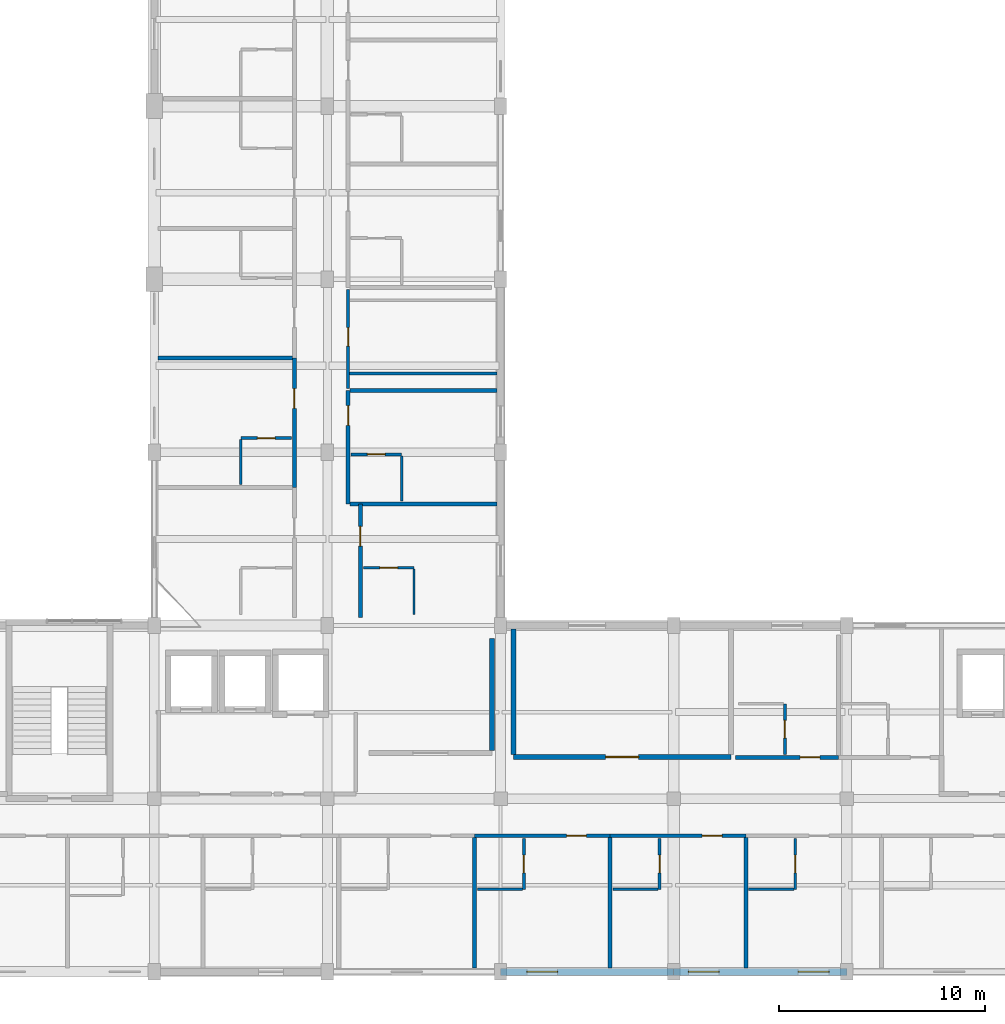
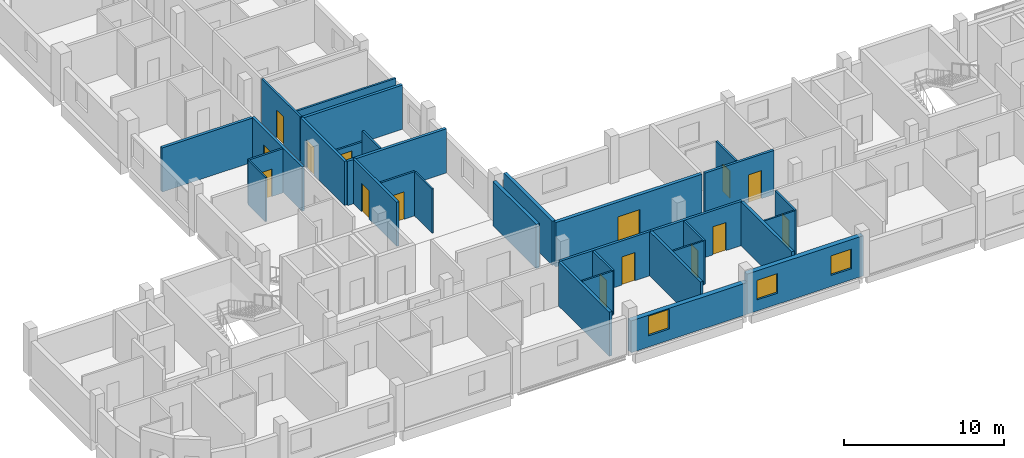
# One storey, part 14 of 26: 32 walls, 15 doors, 3 windows, 18 openings.
"""IFC4 building model written with IfcOpenShell, lengths in metres."""

from ifc_helpers import new_model, si_unit, derived_unit, direction, frame, frame_2d, origin, place, context, subcontext, project, spatial, rectangle, extrude, material, layer, layer_set, type_object, element, fill, save


model = new_model("IFC4")

# Units and contexts
model_context = context("Model", 3, precision=1e-05, world=origin(), true_north=direction((0.0, 1.0)))
body_context = subcontext(model_context, "Body", "Model", "MODEL_VIEW")
ifc_project = project(units=[si_unit("LENGTHUNIT", "METRE"), si_unit("AREAUNIT", "SQUARE_METRE"), si_unit("VOLUMEUNIT", "CUBIC_METRE"), si_unit("PLANEANGLEUNIT", "RADIAN"), si_unit("MASSUNIT", "GRAM", prefix="KILO"), derived_unit("THERMALTRANSMITTANCEUNIT", [(si_unit("POWERUNIT", "WATT"), 1), (si_unit("LENGTHUNIT", "METRE"), -2), (si_unit("THERMODYNAMICTEMPERATUREUNIT", "KELVIN"), -1)])], contexts=[model_context])

# Site, building, storey
site_placement = place(None, origin())
site = spatial("IfcSite", under=ifc_project, at=site_placement, CompositionType="ELEMENT")
building_placement = place(site_placement, origin())
building = spatial("IfcBuilding", under=site, at=building_placement, Name="Barrovel Congress Hotel", CompositionType="ELEMENT")
storey_placement = place(building_placement, frame((0.0, 0.0, 21.89990234375)))
storey = spatial("IfcBuildingStorey", under=building, at=storey_placement, Name="L05", CompositionType="ELEMENT", Elevation=21.89990234375)

# Wall, opening, window
ifc_material_1 = material(Name="Fired Clay Brick Masonry", Category="masonry")
ifc_layer_1 = layer(ifc_material_1, 0.340087890625)
ifc_layer_set_1 = layer_set([ifc_layer_1], Name="Fired Clay Brick Masonry")
wall_type_1 = type_object("IfcWallType", Name="EW-BRK340", PredefinedType="STANDARD", material=ifc_layer_set_1)
wall_1_placement = place(storey_placement, frame((50.39990234375, 4.199951171875, 0.0), z_axis=(0.0, 0.0, 1.0), x_axis=(1.0, 0.0, 0.0)))
wall_1 = element("IfcWall", 1, at=wall_1_placement, inside=storey, type_object=wall_type_1, Name="EW:L05:HS-S:P04", PredefinedType="STANDARD", context=body_context, shape_type="SweptSolid", body=[
    extrude(rectangle(XDim=8.400146484375, YDim=0.340087890625, at=frame_2d((4.2001953125, 0.0))), origin(), (0.0, 0.0, 1.0), 2.43017578125),
])
opening_1_placement = place(wall_1_placement, frame((1.27490234375, 0.0, 0.85009765625)))
opening_1 = element("IfcOpeningElement", 2, at=opening_1_placement, cuts=wall_1, Name="Opening WN-07", PredefinedType="OPENING", context=body_context, shape_type="SweptSolid", body=[
    extrude(rectangle(XDim=1.5, YDim=1.5, at=frame_2d((0.75, 0.75))), frame((0.0, 0.18017578125, 0.0), z_axis=(0.0, -1.0, 0.0), x_axis=(1.0, 0.0, 0.0)), (0.0, 0.0, 1.0), 0.360107421875),
])
ifc_material_2 = material(Name="Double Low-E Insulated Glazing", Category="glass")
window_type = type_object("IfcWindowType", Name="WIN-WN-07", PartitioningType="SINGLE_PANEL", PredefinedType="WINDOW", material=ifc_material_2)
window_1_placement = place(opening_1_placement, origin())
window_1 = element("IfcWindow", 3, at=window_1_placement, inside=storey, type_object=window_type, Name="WIN:L05:U06", OverallHeight=1.5, OverallWidth=1.5, PartitioningType="SINGLE_PANEL", PredefinedType="WINDOW", context=body_context, shape_type="SweptSolid", body=[
    extrude(rectangle(XDim=1.5, YDim=1.5, at=frame_2d((0.75, 0.75))), frame((0.0, 0.030029296875, 0.0), z_axis=(0.0, -1.0, 0.0), x_axis=(1.0, 0.0, 0.0)), (0.0, 0.0, 1.0), 0.06005859375),
])
fill(opening_1, window_1)

# Wall, openings, windows
wall_2_placement = place(storey_placement, frame((58.800048828125, 4.199951171875, 0.0), z_axis=(0.0, 0.0, 1.0), x_axis=(1.0, 0.0, 0.0)))
wall_2 = element("IfcWall", 4, at=wall_2_placement, inside=storey, type_object=wall_type_1, Name="EW:L05:HS-S:P05", PredefinedType="STANDARD", context=body_context, shape_type="SweptSolid", body=[
    extrude(rectangle(XDim=8.39990234375, YDim=0.340087890625, at=frame_2d((4.199951171875, 0.0))), origin(), (0.0, 0.0, 1.0), 3.070068359375),
])
opening_2_placement = place(wall_2_placement, frame((0.708251953125, 0.0, 0.85009765625)))
opening_2 = element("IfcOpeningElement", 5, at=opening_2_placement, cuts=wall_2, Name="Opening WN-07", PredefinedType="OPENING", context=body_context, shape_type="SweptSolid", body=[
    extrude(rectangle(XDim=1.5, YDim=1.5, at=frame_2d((0.75, 0.75))), frame((0.0, 0.18017578125, 0.0), z_axis=(0.0, -1.0, 0.0), x_axis=(1.0, 0.0, 0.0)), (0.0, 0.0, 1.0), 0.360107421875),
])
opening_3_placement = place(wall_2_placement, frame((6.041748046875, 0.0, 0.85009765625)))
opening_3 = element("IfcOpeningElement", 6, at=opening_3_placement, cuts=wall_2, Name="Opening WN-07", PredefinedType="OPENING", context=body_context, shape_type="SweptSolid", body=[
    extrude(rectangle(XDim=1.5, YDim=1.5, at=frame_2d((0.75, 0.75))), frame((0.0, 0.18017578125, 0.0), z_axis=(0.0, -1.0, 0.0), x_axis=(1.0, 0.0, 0.0)), (0.0, 0.0, 1.0), 0.360107421875),
])
window_2_placement = place(opening_2_placement, origin())
window_2 = element("IfcWindow", 7, at=window_2_placement, inside=storey, type_object=window_type, Name="WIN:L05:U07", OverallHeight=1.5, OverallWidth=1.5, PartitioningType="SINGLE_PANEL", PredefinedType="WINDOW", context=body_context, shape_type="SweptSolid", body=[
    extrude(rectangle(XDim=1.5, YDim=1.5, at=frame_2d((0.75, 0.75))), frame((0.0, 0.030029296875, 0.0), z_axis=(0.0, -1.0, 0.0), x_axis=(1.0, 0.0, 0.0)), (0.0, 0.0, 1.0), 0.06005859375),
])
fill(opening_2, window_2)
window_3_placement = place(opening_3_placement, origin())
window_3 = element("IfcWindow", 8, at=window_3_placement, inside=storey, type_object=window_type, Name="WIN:L05:U08", OverallHeight=1.5, OverallWidth=1.5, PartitioningType="SINGLE_PANEL", PredefinedType="WINDOW", context=body_context, shape_type="SweptSolid", body=[
    extrude(rectangle(XDim=1.5, YDim=1.5, at=frame_2d((0.75, 0.75))), frame((0.0, 0.030029296875, 0.0), z_axis=(0.0, -1.0, 0.0), x_axis=(1.0, 0.0, 0.0)), (0.0, 0.0, 1.0), 0.06005859375),
])
fill(opening_3, window_3)

# Wall, opening, door
ifc_material_3 = material(Name="Gypsum Acoustic Stud", Category="gypsum")
ifc_layer_2 = layer(ifc_material_3, 0.179931640625)
ifc_layer_set_2 = layer_set([ifc_layer_2], Name="Gypsum Acoustic Stud")
wall_type_2 = type_object("IfcWallType", Name="PW-ACU-180", PredefinedType="PARTITIONING", material=ifc_layer_set_2)
wall_3_placement = place(storey_placement, frame((49.13330078125, 10.800048828125, 0.0), z_axis=(0.0, 0.0, 1.0), x_axis=(1.0, 0.0, 0.0)))
wall_3 = element("IfcWall", 9, at=wall_3_placement, inside=storey, type_object=wall_type_2, Name="PW:L05:U06:COR", PredefinedType="PARTITIONING", context=body_context, shape_type="SweptSolid", body=[
    extrude(rectangle(XDim=6.58349609375, YDim=0.179931640625, at=frame_2d((3.291748046875, 0.0))), origin(), (0.0, 0.0, 1.0), 3.375),
])
opening_4_placement = place(wall_3_placement, frame((4.46875, 0.0, 0.0)))
opening_4 = element("IfcOpeningElement", 10, at=opening_4_placement, cuts=wall_3, Name="Opening ID-HTL", PredefinedType="OPENING", context=body_context, shape_type="SweptSolid", body=[
    extrude(rectangle(XDim=0.9599609375, YDim=2.14990234375, at=frame_2d((0.47998046875, 1.074951171875))), frame((0.0, 0.10009765625, 0.0), z_axis=(0.0, -1.0, 0.0), x_axis=(1.0, 0.0, 0.0)), (0.0, 0.0, 1.0), 0.199951171875),
])
ifc_material_4 = material(Name="Solid Oak Acoustic Timber Door", Category="wood")
door_type_1 = type_object("IfcDoorType", Name="IDR-ID-HTL", OperationType="NOTDEFINED", PredefinedType="DOOR", material=ifc_material_4)
door_1_placement = place(opening_4_placement, origin())
door_1 = element("IfcDoor", 11, at=door_1_placement, inside=storey, type_object=door_type_1, Name="DR:L05:U06:ENT", OperationType="SINGLE_SWING_RIGHT", OverallHeight=2.14990234375, OverallWidth=0.9599609375, PredefinedType="DOOR", context=body_context, shape_type="SweptSolid", body=[
    extrude(rectangle(XDim=0.9599609375, YDim=2.14990234375, at=frame_2d((0.47998046875, 1.074951171875))), frame((0.0, 0.02490234375, 0.0), z_axis=(0.0, -1.0, 0.0), x_axis=(1.0, 0.0, 0.0)), (0.0, 0.0, 1.0), 0.050048828125),
])
fill(opening_4, door_1)

wall_4_placement = place(storey_placement, frame((55.716796875, 10.800048828125, 0.0), z_axis=(0.0, 0.0, 1.0), x_axis=(1.0, 0.0, 0.0)))
wall_4 = element("IfcWall", 12, at=wall_4_placement, inside=storey, type_object=wall_type_2, Name="PW:L05:U07:COR", PredefinedType="PARTITIONING", context=body_context, shape_type="SweptSolid", body=[
    extrude(rectangle(XDim=6.583251953125, YDim=0.179931640625, at=frame_2d((3.29150390625, 0.0))), origin(), (0.0, 0.0, 1.0), 3.375),
])
opening_5_placement = place(wall_4_placement, frame((4.468505859375, 0.0, 0.0)))
opening_5 = element("IfcOpeningElement", 13, at=opening_5_placement, cuts=wall_4, Name="Opening ID-HTL", PredefinedType="OPENING", context=body_context, shape_type="SweptSolid", body=[
    extrude(rectangle(XDim=0.9599609375, YDim=2.14990234375, at=frame_2d((0.47998046875, 1.074951171875))), frame((0.0, 0.10009765625, 0.0), z_axis=(0.0, -1.0, 0.0), x_axis=(1.0, 0.0, 0.0)), (0.0, 0.0, 1.0), 0.199951171875),
])
door_2_placement = place(opening_5_placement, origin())
door_2 = element("IfcDoor", 14, at=door_2_placement, inside=storey, type_object=door_type_1, Name="DR:L05:U07:ENT", OperationType="SINGLE_SWING_RIGHT", OverallHeight=2.14990234375, OverallWidth=0.9599609375, PredefinedType="DOOR", context=body_context, shape_type="SweptSolid", body=[
    extrude(rectangle(XDim=0.9599609375, YDim=2.14990234375, at=frame_2d((0.47998046875, 1.074951171875))), frame((0.0, 0.02490234375, 0.0), z_axis=(0.0, -1.0, 0.0), x_axis=(1.0, 0.0, 0.0)), (0.0, 0.0, 1.0), 0.050048828125),
])
fill(opening_5, door_2)

wall_5_placement = place(storey_placement, frame((61.800048828125, 14.60009765625, 0.0), z_axis=(0.0, 0.0, 1.0), x_axis=(1.0, 0.0, 0.0)))
wall_5 = element("IfcWall", 15, at=wall_5_placement, inside=storey, type_object=wall_type_2, Name="PW:L05:U22:COR", PredefinedType="PARTITIONING", context=body_context, shape_type="SweptSolid", body=[
    extrude(rectangle(XDim=5.0, YDim=0.179931640625, at=frame_2d((2.5, 0.0))), origin(), (0.0, 0.0, 1.0), 3.375),
])
opening_6_placement = place(wall_5_placement, frame((3.136962890625, 0.0, 0.0)))
opening_6 = element("IfcOpeningElement", 16, at=opening_6_placement, cuts=wall_5, Name="Opening ID-HTL", PredefinedType="OPENING", context=body_context, shape_type="SweptSolid", body=[
    extrude(rectangle(XDim=0.9599609375, YDim=2.14990234375, at=frame_2d((0.47998046875, 1.074951171875))), frame((0.0, 0.10009765625, 0.0), z_axis=(0.0, -1.0, 0.0), x_axis=(1.0, 0.0, 0.0)), (0.0, 0.0, 1.0), 0.199951171875),
])
door_3_placement = place(opening_6_placement, origin())
door_3 = element("IfcDoor", 17, at=door_3_placement, inside=storey, type_object=door_type_1, Name="DR:L05:U22:ENT", OperationType="SINGLE_SWING_RIGHT", OverallHeight=2.14990234375, OverallWidth=0.9599609375, PredefinedType="DOOR", context=body_context, shape_type="SweptSolid", body=[
    extrude(rectangle(XDim=0.9599609375, YDim=2.14990234375, at=frame_2d((0.47998046875, 1.074951171875))), frame((0.0, 0.02490234375, 0.0), z_axis=(0.0, -1.0, 0.0), x_axis=(1.0, 0.0, 0.0)), (0.0, 0.0, 1.0), 0.050048828125),
])
fill(opening_6, door_3)

wall_6_placement = place(storey_placement, frame((40.39990234375, 27.68896484375, 0.0), z_axis=(0.0, 0.0, 1.0), x_axis=(0.0, 1.0, 0.0)))
wall_6 = element("IfcWall", 18, at=wall_6_placement, inside=storey, type_object=wall_type_2, Name="PW:L05:U34:COR", PredefinedType="PARTITIONING", context=body_context, shape_type="SweptSolid", body=[
    extrude(rectangle(XDim=6.288818359375, YDim=0.179931640625, at=frame_2d((3.14453125, 0.0))), origin(), (0.0, 0.0, 1.0), 3.375),
])
opening_7_placement = place(wall_6_placement, frame((3.849365234375, 0.0, 0.0)))
opening_7 = element("IfcOpeningElement", 19, at=opening_7_placement, cuts=wall_6, Name="Opening ID-HTL", PredefinedType="OPENING", context=body_context, shape_type="SweptSolid", body=[
    extrude(rectangle(XDim=0.9599609375, YDim=2.14990234375, at=frame_2d((0.47998046875, 1.074951171875))), frame((0.0, 0.10009765625, 0.0), z_axis=(0.0, -1.0, 0.0), x_axis=(1.0, 0.0, 0.0)), (0.0, 0.0, 1.0), 0.199951171875),
])
door_4_placement = place(opening_7_placement, origin())
door_4 = element("IfcDoor", 20, at=door_4_placement, inside=storey, type_object=door_type_1, Name="DR:L05:U34:ENT", OperationType="SINGLE_SWING_RIGHT", OverallHeight=2.14990234375, OverallWidth=0.9599609375, PredefinedType="DOOR", context=body_context, shape_type="SweptSolid", body=[
    extrude(rectangle(XDim=0.9599609375, YDim=2.14990234375, at=frame_2d((0.47998046875, 1.074951171875))), frame((0.0, 0.02490234375, 0.0), z_axis=(0.0, -1.0, 0.0), x_axis=(1.0, 0.0, 0.0)), (0.0, 0.0, 1.0), 0.050048828125),
])
fill(opening_7, door_4)

wall_7_placement = place(storey_placement, frame((43.60009765625, 21.39990234375, 0.0), z_axis=(0.0, 0.0, 1.0), x_axis=(0.0, 1.0, 0.0)))
wall_7 = element("IfcWall", 21, at=wall_7_placement, inside=storey, type_object=wall_type_2, Name="PW:L05:U42:COR", PredefinedType="PARTITIONING", context=body_context, shape_type="SweptSolid", body=[
    extrude(rectangle(XDim=5.5, YDim=0.179931640625, at=frame_2d((2.75, 0.0))), origin(), (0.0, 0.0, 1.0), 3.375),
])
opening_8_placement = place(wall_7_placement, frame((3.455078125, 0.0, 0.0)))
opening_8 = element("IfcOpeningElement", 22, at=opening_8_placement, cuts=wall_7, Name="Opening ID-HTL", PredefinedType="OPENING", context=body_context, shape_type="SweptSolid", body=[
    extrude(rectangle(XDim=0.9599609375, YDim=2.14990234375, at=frame_2d((0.47998046875, 1.074951171875))), frame((0.0, 0.10009765625, 0.0), z_axis=(0.0, -1.0, 0.0), x_axis=(1.0, 0.0, 0.0)), (0.0, 0.0, 1.0), 0.199951171875),
])
door_5_placement = place(opening_8_placement, origin())
door_5 = element("IfcDoor", 23, at=door_5_placement, inside=storey, type_object=door_type_1, Name="DR:L05:U42:ENT", OperationType="SINGLE_SWING_RIGHT", OverallHeight=2.14990234375, OverallWidth=0.9599609375, PredefinedType="DOOR", context=body_context, shape_type="SweptSolid", body=[
    extrude(rectangle(XDim=0.9599609375, YDim=2.14990234375, at=frame_2d((0.47998046875, 1.074951171875))), frame((0.0, 0.02490234375, 0.0), z_axis=(0.0, -1.0, 0.0), x_axis=(1.0, 0.0, 0.0)), (0.0, 0.0, 1.0), 0.050048828125),
])
fill(opening_8, door_5)

wall_8_placement = place(storey_placement, frame((43.0, 26.89990234375, 0.0), z_axis=(0.0, 0.0, 1.0), x_axis=(0.0, 1.0, 0.0)))
wall_8 = element("IfcWall", 24, at=wall_8_placement, inside=storey, type_object=wall_type_2, Name="PW:L05:U43:COR", PredefinedType="PARTITIONING", context=body_context, shape_type="SweptSolid", body=[
    extrude(rectangle(XDim=5.5, YDim=0.179931640625, at=frame_2d((2.75, 0.0))), origin(), (0.0, 0.0, 1.0), 3.375),
])
opening_9_placement = place(wall_8_placement, frame((3.804931640625, 0.0, 0.0)))
opening_9 = element("IfcOpeningElement", 25, at=opening_9_placement, cuts=wall_8, Name="Opening ID-HTL", PredefinedType="OPENING", context=body_context, shape_type="SweptSolid", body=[
    extrude(rectangle(XDim=0.9599609375, YDim=2.14990234375, at=frame_2d((0.47998046875, 1.074951171875))), frame((0.0, 0.10009765625, 0.0), z_axis=(0.0, -1.0, 0.0), x_axis=(1.0, 0.0, 0.0)), (0.0, 0.0, 1.0), 0.199951171875),
])
door_6_placement = place(opening_9_placement, origin())
door_6 = element("IfcDoor", 26, at=door_6_placement, inside=storey, type_object=door_type_1, Name="DR:L05:U43:ENT", OperationType="SINGLE_SWING_RIGHT", OverallHeight=2.14990234375, OverallWidth=0.9599609375, PredefinedType="DOOR", context=body_context, shape_type="SweptSolid", body=[
    extrude(rectangle(XDim=0.9599609375, YDim=2.14990234375, at=frame_2d((0.47998046875, 1.074951171875))), frame((0.0, 0.02490234375, 0.0), z_axis=(0.0, -1.0, 0.0), x_axis=(1.0, 0.0, 0.0)), (0.0, 0.0, 1.0), 0.050048828125),
])
fill(opening_9, door_6)

# Walls
ifc_layer_3 = layer(ifc_material_3, 0.1201171875)
ifc_layer_set_3 = layer_set([ifc_layer_3], Name="Gypsum Acoustic Stud")
wall_type_3 = type_object("IfcWallType", Name="PW-INT-120", PredefinedType="PARTITIONING", material=ifc_layer_set_3)
wall_9_placement = place(storey_placement, frame((49.273193359375, 8.199951171875, 0.0), z_axis=(0.0, 0.0, 1.0), x_axis=(1.0, 0.0, 0.0)))
element("IfcWall", 27, at=wall_9_placement, inside=storey, type_object=wall_type_3, Name="PW:L05:U06:B2", PredefinedType="PARTITIONING", context=body_context, shape_type="SweptSolid", body=[
    extrude(rectangle(XDim=2.190185546875, YDim=0.1201171875, at=frame_2d((1.09521484375, 0.0))), origin(), (0.0, 0.0, 1.0), 3.375),
])
for number, where, z_axis, x_axis, name in (
    (28, (55.856689453125, 8.199951171875, 0.0), (0.0, 0.0, 1.0), (1.0, 0.0, 0.0), "PW:L05:U07:B2"),
    (29, (62.43994140625, 8.199951171875, 0.0), (0.0, 0.0, 1.0), (1.0, 0.0, 0.0), "PW:L05:U08:B2"),
    (30, (37.800048828125, 27.828857421875, 0.0), (0.0, 0.0, 1.0), (0.0, 1.0, 0.0), "PW:L05:U34:B2"),
    (31, (46.199951171875, 21.5400390625, 0.0), (0.0, 0.0, 1.0), (0.0, 1.0, 0.0), "PW:L05:U42:B2"),
    (32, (45.60009765625, 27.0400390625, 0.0), (0.0, 0.0, 1.0), (0.0, 1.0, 0.0), "PW:L05:U43:B2"),
):
    element("IfcWall", number, at=place(storey_placement, frame(where, z_axis=z_axis, x_axis=x_axis)), inside=storey, type_object=wall_type_3, Name=name, PredefinedType="PARTITIONING", context=body_context, shape_type="SweptSolid", body=[
        extrude(rectangle(XDim=2.18994140625, YDim=0.1201171875, at=frame_2d((1.094970703125, 0.0))), origin(), (0.0, 0.0, 1.0), 3.375),
    ])
ifc_layer_4 = layer(ifc_material_1, 0.199951171875)
ifc_layer_set_4 = layer_set([ifc_layer_4], Name="Fired Clay Brick Masonry")
wall_type_4 = type_object("IfcWallType", Name="PW-MAS-200", PredefinedType="PARTITIONING", material=ifc_layer_set_4)
for number, where, z_axis, x_axis, name in (
    (33, (49.13330078125, 4.3701171875, 0.0), (0.0, 0.0, 1.0), (0.0, 1.0, 0.0), "PW:L05:U05:DEM"),
    (34, (55.716796875, 4.3701171875, 0.0), (0.0, 0.0, 1.0), (0.0, 1.0, 0.0), "PW:L05:U06:DEM"),
    (35, (62.300048828125, 4.3701171875, 0.0), (0.0, 0.0, 1.0), (0.0, 1.0, 0.0), "PW:L05:U07:DEM"),
):
    element("IfcWall", number, at=place(storey_placement, frame(where, z_axis=z_axis, x_axis=x_axis)), inside=storey, type_object=wall_type_4, Name=name, PredefinedType="PARTITIONING", context=body_context, shape_type="SweptSolid", body=[
        extrude(rectangle(XDim=6.33984375, YDim=0.199951171875, at=frame_2d((3.169921875, 0.0))), origin(), (0.0, 0.0, 1.0), 3.375),
    ])
wall_10_placement = place(storey_placement, frame((33.77001953125, 33.977783203125, 0.0), z_axis=(0.0, 0.0, 1.0), x_axis=(1.0, 0.0, 0.0)))
element("IfcWall", 36, at=wall_10_placement, inside=storey, type_object=wall_type_4, Name="PW:L05:U34:DEM", PredefinedType="PARTITIONING", context=body_context, shape_type="SweptSolid", body=[
    extrude(rectangle(XDim=6.5400390625, YDim=0.199951171875, at=frame_2d((3.27001953125, 0.0))), origin(), (0.0, 0.0, 1.0), 3.375),
])
for number, where, z_axis, x_axis, name in (
    (37, (43.090087890625, 26.89990234375, 0.0), (0.0, 0.0, 1.0), (1.0, 0.0, 0.0), "PW:L05:U42:DEM"),
    (38, (43.090087890625, 32.39990234375, 0.0), (0.0, 0.0, 1.0), (1.0, 0.0, 0.0), "PW:L05:U43:DEM"),
):
    element("IfcWall", number, at=place(storey_placement, frame(where, z_axis=z_axis, x_axis=x_axis)), inside=storey, type_object=wall_type_4, Name=name, PredefinedType="PARTITIONING", context=body_context, shape_type="SweptSolid", body=[
        extrude(rectangle(XDim=7.139892578125, YDim=0.199951171875, at=frame_2d((3.56982421875, 0.0))), origin(), (0.0, 0.0, 1.0), 3.375),
    ])
ifc_layer_5 = layer(ifc_material_1, 0.239990234375)
ifc_layer_set_5 = layer_set([ifc_layer_5], Name="Fired Clay Brick Masonry")
wall_type_5 = type_object("IfcWallType", Name="PW-MAS-240", PredefinedType="PARTITIONING", material=ifc_layer_set_5)
wall_11_placement = place(storey_placement, frame((49.97998046875, 14.93994140625, 0.0), z_axis=(0.0, 0.0, 1.0), x_axis=(0.0, 1.0, 0.0)))
element("IfcWall", 39, at=wall_11_placement, inside=storey, type_object=wall_type_5, Name="RW:SP:L05:LINEN:E", PredefinedType="PARTITIONING", context=body_context, shape_type="SweptSolid", body=[
    extrude(rectangle(XDim=5.43994140625, YDim=0.239990234375, at=frame_2d((2.719970703125, 0.0))), origin(), (0.0, 0.0, 1.0), 3.375),
])

# Wall, opening, door
wall_12_placement = place(storey_placement, frame((51.02001953125, 14.6201171875, 0.0), z_axis=(0.0, 0.0, 1.0), x_axis=(1.0, 0.0, 0.0)))
wall_12 = element("IfcWall", 40, at=wall_12_placement, inside=storey, type_object=wall_type_5, Name="RW:SP:L05:SALON:S", PredefinedType="PARTITIONING", context=body_context, shape_type="SweptSolid", body=[
    extrude(rectangle(XDim=10.56005859375, YDim=0.239990234375, at=frame_2d((5.280029296875, 0.0))), origin(), (0.0, 0.0, 1.0), 3.375),
])
opening_10_placement = place(wall_12_placement, frame((4.47998046875, 0.0, 0.0)))
opening_10 = element("IfcOpeningElement", 41, at=opening_10_placement, cuts=wall_12, Name="Opening ID-MTG", PredefinedType="OPENING", context=body_context, shape_type="SweptSolid", body=[
    extrude(rectangle(XDim=1.60009765625, YDim=2.25, at=frame_2d((0.800048828125, 1.125))), frame((0.0, 0.1298828125, 0.0), z_axis=(0.0, -1.0, 0.0), x_axis=(1.0, 0.0, 0.0)), (0.0, 0.0, 1.0), 0.260009765625),
])
door_type_2 = type_object("IfcDoorType", Name="IDR-ID-MTG", OperationType="NOTDEFINED", PredefinedType="DOOR", material=ifc_material_4)
door_7_placement = place(opening_10_placement, origin())
door_7 = element("IfcDoor", 42, at=door_7_placement, inside=storey, type_object=door_type_2, Name="RD:SP:L05:SALON", OperationType="DOUBLE_DOOR_SINGLE_SWING", OverallHeight=2.25, OverallWidth=1.60009765625, PredefinedType="DOOR", context=body_context, shape_type="SweptSolid", body=[
    extrude(rectangle(XDim=1.60009765625, YDim=2.25, at=frame_2d((0.800048828125, 1.125))), frame((0.0, 0.02490234375, 0.0), z_axis=(0.0, -1.0, 0.0), x_axis=(1.0, 0.0, 0.0)), (0.0, 0.0, 1.0), 0.050048828125),
])
fill(opening_10, door_7)

# Wall
wall_13_placement = place(storey_placement, frame((51.02001953125, 14.739990234375, 0.0), z_axis=(0.0, 0.0, 1.0), x_axis=(0.0, 1.0, 0.0)))
element("IfcWall", 43, at=wall_13_placement, inside=storey, type_object=wall_type_5, Name="RW:SP:L05:SALON:W", PredefinedType="PARTITIONING", context=body_context, shape_type="SweptSolid", body=[
    extrude(rectangle(XDim=6.090087890625, YDim=0.239990234375, at=frame_2d((3.044921875, 0.0))), origin(), (0.0, 0.0, 1.0), 3.375),
])

# Wall, opening, door
ifc_material_5 = material(Name="Gypsum Moisture Board", Category="gypsum")
ifc_layer_6 = layer(ifc_material_5, 0.139892578125)
ifc_layer_set_6 = layer_set([ifc_layer_6], Name="Gypsum Moisture Board")
wall_type_6 = type_object("IfcWallType", Name="PW-WET-140", PredefinedType="PARTITIONING", material=ifc_layer_set_6)
wall_14_placement = place(storey_placement, frame((51.533203125, 8.199951171875, 0.0), z_axis=(0.0, 0.0, 1.0), x_axis=(0.0, 1.0, 0.0)))
wall_14 = element("IfcWall", 44, at=wall_14_placement, inside=storey, type_object=wall_type_6, Name="PW:L05:U06:B1", PredefinedType="PARTITIONING", context=body_context, shape_type="SweptSolid", body=[
    extrude(rectangle(XDim=2.4599609375, YDim=0.139892578125, at=frame_2d((1.22998046875, 0.0))), origin(), (0.0, 0.0, 1.0), 3.375),
])
opening_11_placement = place(wall_14_placement, frame((0.800048828125, 0.0, 0.0)))
opening_11 = element("IfcOpeningElement", 45, at=opening_11_placement, cuts=wall_14, Name="Opening ID-ENS", PredefinedType="OPENING", context=body_context, shape_type="SweptSolid", body=[
    extrude(rectangle(XDim=0.860107421875, YDim=2.10009765625, at=frame_2d((0.43017578125, 1.050048828125))), frame((0.0, 0.080078125, 0.0), z_axis=(0.0, -1.0, 0.0), x_axis=(1.0, 0.0, 0.0)), (0.0, 0.0, 1.0), 0.159912109375),
])
ifc_material_6 = material(Name="Lacquered Timber Moisture Door", Category="wood")
door_type_3 = type_object("IfcDoorType", Name="IDR-ID-ENS", OperationType="NOTDEFINED", PredefinedType="DOOR", material=ifc_material_6)
door_8_placement = place(opening_11_placement, origin())
door_8 = element("IfcDoor", 46, at=door_8_placement, inside=storey, type_object=door_type_3, Name="DR:L05:U06:ENS", OperationType="SINGLE_SWING_LEFT", OverallHeight=2.10009765625, OverallWidth=0.860107421875, PredefinedType="DOOR", context=body_context, shape_type="SweptSolid", body=[
    extrude(rectangle(XDim=0.860107421875, YDim=2.10009765625, at=frame_2d((0.43017578125, 1.050048828125))), frame((0.0, 0.02490234375, 0.0), z_axis=(0.0, -1.0, 0.0), x_axis=(1.0, 0.0, 0.0)), (0.0, 0.0, 1.0), 0.050048828125),
])
fill(opening_11, door_8)

wall_15_placement = place(storey_placement, frame((58.11669921875, 8.199951171875, 0.0), z_axis=(0.0, 0.0, 1.0), x_axis=(0.0, 1.0, 0.0)))
wall_15 = element("IfcWall", 47, at=wall_15_placement, inside=storey, type_object=wall_type_6, Name="PW:L05:U07:B1", PredefinedType="PARTITIONING", context=body_context, shape_type="SweptSolid", body=[
    extrude(rectangle(XDim=2.4599609375, YDim=0.139892578125, at=frame_2d((1.22998046875, 0.0))), origin(), (0.0, 0.0, 1.0), 3.375),
])
opening_12_placement = place(wall_15_placement, frame((0.800048828125, 0.0, 0.0)))
opening_12 = element("IfcOpeningElement", 48, at=opening_12_placement, cuts=wall_15, Name="Opening ID-ENS", PredefinedType="OPENING", context=body_context, shape_type="SweptSolid", body=[
    extrude(rectangle(XDim=0.860107421875, YDim=2.10009765625, at=frame_2d((0.43017578125, 1.050048828125))), frame((0.0, 0.080078125, 0.0), z_axis=(0.0, -1.0, 0.0), x_axis=(1.0, 0.0, 0.0)), (0.0, 0.0, 1.0), 0.159912109375),
])
door_9_placement = place(opening_12_placement, origin())
door_9 = element("IfcDoor", 49, at=door_9_placement, inside=storey, type_object=door_type_3, Name="DR:L05:U07:ENS", OperationType="SINGLE_SWING_LEFT", OverallHeight=2.10009765625, OverallWidth=0.860107421875, PredefinedType="DOOR", context=body_context, shape_type="SweptSolid", body=[
    extrude(rectangle(XDim=0.860107421875, YDim=2.10009765625, at=frame_2d((0.43017578125, 1.050048828125))), frame((0.0, 0.02490234375, 0.0), z_axis=(0.0, -1.0, 0.0), x_axis=(1.0, 0.0, 0.0)), (0.0, 0.0, 1.0), 0.050048828125),
])
fill(opening_12, door_9)

wall_16_placement = place(storey_placement, frame((64.699951171875, 8.199951171875, 0.0), z_axis=(0.0, 0.0, 1.0), x_axis=(0.0, 1.0, 0.0)))
wall_16 = element("IfcWall", 50, at=wall_16_placement, inside=storey, type_object=wall_type_6, Name="PW:L05:U08:B1", PredefinedType="PARTITIONING", context=body_context, shape_type="SweptSolid", body=[
    extrude(rectangle(XDim=2.4599609375, YDim=0.139892578125, at=frame_2d((1.22998046875, 0.0))), origin(), (0.0, 0.0, 1.0), 3.375),
])
opening_13_placement = place(wall_16_placement, frame((0.800048828125, 0.0, 0.0)))
opening_13 = element("IfcOpeningElement", 51, at=opening_13_placement, cuts=wall_16, Name="Opening ID-ENS", PredefinedType="OPENING", context=body_context, shape_type="SweptSolid", body=[
    extrude(rectangle(XDim=0.860107421875, YDim=2.10009765625, at=frame_2d((0.43017578125, 1.050048828125))), frame((0.0, 0.080078125, 0.0), z_axis=(0.0, -1.0, 0.0), x_axis=(1.0, 0.0, 0.0)), (0.0, 0.0, 1.0), 0.159912109375),
])
door_10_placement = place(opening_13_placement, origin())
door_10 = element("IfcDoor", 52, at=door_10_placement, inside=storey, type_object=door_type_3, Name="DR:L05:U08:ENS", OperationType="SINGLE_SWING_LEFT", OverallHeight=2.10009765625, OverallWidth=0.860107421875, PredefinedType="DOOR", context=body_context, shape_type="SweptSolid", body=[
    extrude(rectangle(XDim=0.860107421875, YDim=2.10009765625, at=frame_2d((0.43017578125, 1.050048828125))), frame((0.0, 0.02490234375, 0.0), z_axis=(0.0, -1.0, 0.0), x_axis=(1.0, 0.0, 0.0)), (0.0, 0.0, 1.0), 0.050048828125),
])
fill(opening_13, door_10)

wall_17_placement = place(storey_placement, frame((64.199951171875, 14.739990234375, 0.0), z_axis=(0.0, 0.0, 1.0), x_axis=(0.0, 1.0, 0.0)))
wall_17 = element("IfcWall", 53, at=wall_17_placement, inside=storey, type_object=wall_type_6, Name="PW:L05:U22:B1", PredefinedType="PARTITIONING", context=body_context, shape_type="SweptSolid", body=[
    extrude(rectangle(XDim=2.4599609375, YDim=0.139892578125, at=frame_2d((1.22998046875, 0.0))), origin(), (0.0, 0.0, 1.0), 3.375),
])
opening_14_placement = place(wall_17_placement, frame((0.800048828125, 0.0, 0.0)))
opening_14 = element("IfcOpeningElement", 54, at=opening_14_placement, cuts=wall_17, Name="Opening ID-ENS", PredefinedType="OPENING", context=body_context, shape_type="SweptSolid", body=[
    extrude(rectangle(XDim=0.860107421875, YDim=2.10009765625, at=frame_2d((0.43017578125, 1.050048828125))), frame((0.0, 0.080078125, 0.0), z_axis=(0.0, -1.0, 0.0), x_axis=(1.0, 0.0, 0.0)), (0.0, 0.0, 1.0), 0.159912109375),
])
door_11_placement = place(opening_14_placement, origin())
door_11 = element("IfcDoor", 55, at=door_11_placement, inside=storey, type_object=door_type_3, Name="DR:L05:U22:ENS", OperationType="SINGLE_SWING_LEFT", OverallHeight=2.10009765625, OverallWidth=0.860107421875, PredefinedType="DOOR", context=body_context, shape_type="SweptSolid", body=[
    extrude(rectangle(XDim=0.860107421875, YDim=2.10009765625, at=frame_2d((0.43017578125, 1.050048828125))), frame((0.0, 0.02490234375, 0.0), z_axis=(0.0, -1.0, 0.0), x_axis=(1.0, 0.0, 0.0)), (0.0, 0.0, 1.0), 0.050048828125),
])
fill(opening_14, door_11)

wall_18_placement = place(storey_placement, frame((37.800048828125, 30.0888671875, 0.0), z_axis=(0.0, 0.0, 1.0), x_axis=(1.0, 0.0, 0.0)))
wall_18 = element("IfcWall", 56, at=wall_18_placement, inside=storey, type_object=wall_type_6, Name="PW:L05:U34:B1", PredefinedType="PARTITIONING", context=body_context, shape_type="SweptSolid", body=[
    extrude(rectangle(XDim=2.4599609375, YDim=0.139892578125, at=frame_2d((1.22998046875, 0.0))), origin(), (0.0, 0.0, 1.0), 3.375),
])
opening_15_placement = place(wall_18_placement, frame((0.800048828125, 0.0, 0.0)))
opening_15 = element("IfcOpeningElement", 57, at=opening_15_placement, cuts=wall_18, Name="Opening ID-ENS", PredefinedType="OPENING", context=body_context, shape_type="SweptSolid", body=[
    extrude(rectangle(XDim=0.860107421875, YDim=2.10009765625, at=frame_2d((0.43017578125, 1.050048828125))), frame((0.0, 0.080078125, 0.0), z_axis=(0.0, -1.0, 0.0), x_axis=(1.0, 0.0, 0.0)), (0.0, 0.0, 1.0), 0.159912109375),
])
door_12_placement = place(opening_15_placement, origin())
door_12 = element("IfcDoor", 58, at=door_12_placement, inside=storey, type_object=door_type_3, Name="DR:L05:U34:ENS", OperationType="SINGLE_SWING_LEFT", OverallHeight=2.10009765625, OverallWidth=0.860107421875, PredefinedType="DOOR", context=body_context, shape_type="SweptSolid", body=[
    extrude(rectangle(XDim=0.860107421875, YDim=2.10009765625, at=frame_2d((0.43017578125, 1.050048828125))), frame((0.0, 0.02490234375, 0.0), z_axis=(0.0, -1.0, 0.0), x_axis=(1.0, 0.0, 0.0)), (0.0, 0.0, 1.0), 0.050048828125),
])
fill(opening_15, door_12)

wall_19_placement = place(storey_placement, frame((43.739990234375, 23.800048828125, 0.0), z_axis=(0.0, 0.0, 1.0), x_axis=(1.0, 0.0, 0.0)))
wall_19 = element("IfcWall", 59, at=wall_19_placement, inside=storey, type_object=wall_type_6, Name="PW:L05:U42:B1", PredefinedType="PARTITIONING", context=body_context, shape_type="SweptSolid", body=[
    extrude(rectangle(XDim=2.4599609375, YDim=0.139892578125, at=frame_2d((1.22998046875, 0.0))), origin(), (0.0, 0.0, 1.0), 3.375),
])
opening_16_placement = place(wall_19_placement, frame((0.800048828125, 0.0, 0.0)))
opening_16 = element("IfcOpeningElement", 60, at=opening_16_placement, cuts=wall_19, Name="Opening ID-ENS", PredefinedType="OPENING", context=body_context, shape_type="SweptSolid", body=[
    extrude(rectangle(XDim=0.860107421875, YDim=2.10009765625, at=frame_2d((0.43017578125, 1.050048828125))), frame((0.0, 0.080078125, 0.0), z_axis=(0.0, -1.0, 0.0), x_axis=(1.0, 0.0, 0.0)), (0.0, 0.0, 1.0), 0.159912109375),
])
door_13_placement = place(opening_16_placement, origin())
door_13 = element("IfcDoor", 61, at=door_13_placement, inside=storey, type_object=door_type_3, Name="DR:L05:U42:ENS", OperationType="SINGLE_SWING_LEFT", OverallHeight=2.10009765625, OverallWidth=0.860107421875, PredefinedType="DOOR", context=body_context, shape_type="SweptSolid", body=[
    extrude(rectangle(XDim=0.860107421875, YDim=2.10009765625, at=frame_2d((0.43017578125, 1.050048828125))), frame((0.0, 0.02490234375, 0.0), z_axis=(0.0, -1.0, 0.0), x_axis=(1.0, 0.0, 0.0)), (0.0, 0.0, 1.0), 0.050048828125),
])
fill(opening_16, door_13)

wall_20_placement = place(storey_placement, frame((43.139892578125, 29.300048828125, 0.0), z_axis=(0.0, 0.0, 1.0), x_axis=(1.0, 0.0, 0.0)))
wall_20 = element("IfcWall", 62, at=wall_20_placement, inside=storey, type_object=wall_type_6, Name="PW:L05:U43:B1", PredefinedType="PARTITIONING", context=body_context, shape_type="SweptSolid", body=[
    extrude(rectangle(XDim=2.460205078125, YDim=0.139892578125, at=frame_2d((1.22998046875, 0.0))), origin(), (0.0, 0.0, 1.0), 2.530029296875),
])
opening_17_placement = place(wall_20_placement, frame((0.800048828125, 0.0, 0.0)))
opening_17 = element("IfcOpeningElement", 63, at=opening_17_placement, cuts=wall_20, Name="Opening ID-ENS", PredefinedType="OPENING", context=body_context, shape_type="SweptSolid", body=[
    extrude(rectangle(XDim=0.860107421875, YDim=2.10009765625, at=frame_2d((0.43017578125, 1.050048828125))), frame((0.0, 0.080078125, 0.0), z_axis=(0.0, -1.0, 0.0), x_axis=(1.0, 0.0, 0.0)), (0.0, 0.0, 1.0), 0.159912109375),
])
door_14_placement = place(opening_17_placement, origin())
door_14 = element("IfcDoor", 64, at=door_14_placement, inside=storey, type_object=door_type_3, Name="DR:L05:U43:ENS", OperationType="SINGLE_SWING_LEFT", OverallHeight=2.10009765625, OverallWidth=0.860107421875, PredefinedType="DOOR", context=body_context, shape_type="SweptSolid", body=[
    extrude(rectangle(XDim=0.860107421875, YDim=2.10009765625, at=frame_2d((0.43017578125, 1.050048828125))), frame((0.0, 0.02490234375, 0.0), z_axis=(0.0, -1.0, 0.0), x_axis=(1.0, 0.0, 0.0)), (0.0, 0.0, 1.0), 0.050048828125),
])
fill(opening_17, door_14)

wall_21_placement = place(storey_placement, frame((43.0, 32.5, 0.0), z_axis=(0.0, 0.0, 1.0), x_axis=(0.0, 1.0, 0.0)))
wall_21 = element("IfcWall", 65, at=wall_21_placement, inside=storey, type_object=wall_type_6, Name="RW:SP:L05:WC-A:W", PredefinedType="PARTITIONING", context=body_context, shape_type="SweptSolid", body=[
    extrude(rectangle(XDim=4.800048828125, YDim=0.139892578125, at=frame_2d((2.39990234375, 0.0))), origin(), (0.0, 0.0, 1.0), 3.375),
])
opening_18_placement = place(wall_21_placement, frame((2.050048828125, 0.0, 0.0)))
opening_18 = element("IfcOpeningElement", 66, at=opening_18_placement, cuts=wall_21, Name="Opening ID-WC1", PredefinedType="OPENING", context=body_context, shape_type="SweptSolid", body=[
    extrude(rectangle(XDim=0.89990234375, YDim=2.1201171875, at=frame_2d((0.449951171875, 1.06005859375))), frame((0.0, 0.080078125, 0.0), z_axis=(0.0, -1.0, 0.0), x_axis=(1.0, 0.0, 0.0)), (0.0, 0.0, 1.0), 0.159912109375),
])
door_type_4 = type_object("IfcDoorType", Name="IDR-ID-WC1", OperationType="NOTDEFINED", PredefinedType="DOOR", material=ifc_material_6)
door_15_placement = place(opening_18_placement, origin())
door_15 = element("IfcDoor", 67, at=door_15_placement, inside=storey, type_object=door_type_4, Name="RD:SP:L05:WC-A", OperationType="SINGLE_SWING_RIGHT", OverallHeight=2.1201171875, OverallWidth=0.89990234375, PredefinedType="DOOR", context=body_context, shape_type="SweptSolid", body=[
    extrude(rectangle(XDim=0.89990234375, YDim=2.1201171875, at=frame_2d((0.449951171875, 1.06005859375))), frame((0.0, 0.02490234375, 0.0), z_axis=(0.0, -1.0, 0.0), x_axis=(1.0, 0.0, 0.0)), (0.0, 0.0, 1.0), 0.050048828125),
])
fill(opening_18, door_15)

# Wall
wall_22_placement = place(storey_placement, frame((43.070068359375, 33.219970703125, 0.0), z_axis=(0.0, 0.0, 1.0), x_axis=(1.0, 0.0, 0.0)))
element("IfcWall", 68, at=wall_22_placement, inside=storey, type_object=wall_type_6, Name="RW:SP:L05:WC-A:S", PredefinedType="PARTITIONING", context=body_context, shape_type="SweptSolid", body=[
    extrude(rectangle(XDim=7.159912109375, YDim=0.139892578125, at=frame_2d((3.580078125, 0.0))), origin(), (0.0, 0.0, 1.0), 3.375),
])

save(model, "model.ifc")
